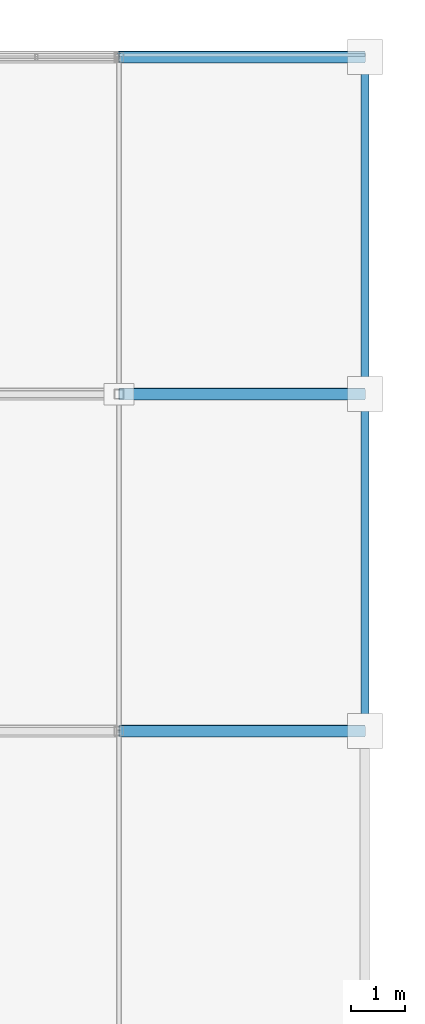
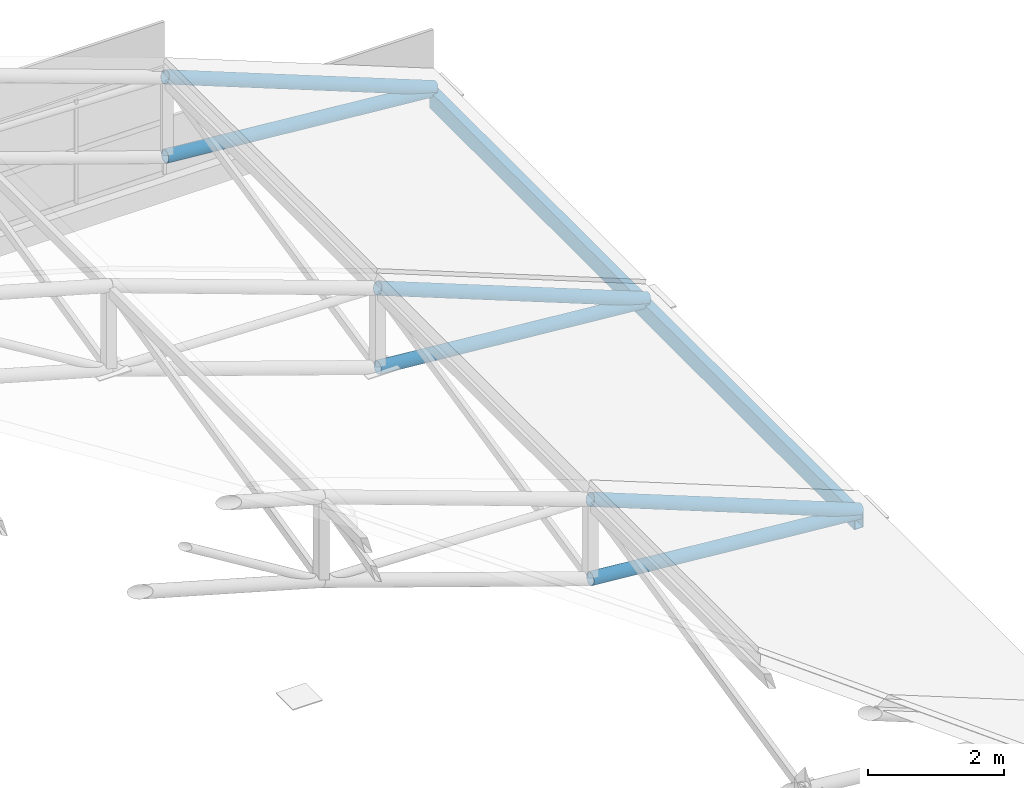
# One storey, part 75 of 101: 6 members, 1 beam.
"""IFC4 building model written with IfcOpenShell, lengths in metres."""

from ifc_helpers import new_model, si_unit, direction, frame, origin, origin_2d, place, context, subcontext, project, spatial, hollow_rectangle, hollow_circle, extrude, material, material_profile, profile_set, type_object, element, save


model = new_model("IFC4")

# Units and contexts
model_context = context("Model", 3, precision=1e-05, world=origin(), true_north=direction((0.0, 1.0)))
body_context = subcontext(model_context, "Body", "Model", "MODEL_VIEW")
ifc_project = project(units=[si_unit("LENGTHUNIT", "METRE"), si_unit("AREAUNIT", "SQUARE_METRE"), si_unit("VOLUMEUNIT", "CUBIC_METRE"), si_unit("PLANEANGLEUNIT", "RADIAN"), si_unit("MASSUNIT", "GRAM", prefix="KILO")], contexts=[model_context])

# Site, building, storey
site_placement = place(None, origin())
site = spatial("IfcSite", under=ifc_project, at=site_placement, CompositionType="ELEMENT")
building_placement = place(site_placement, origin())
building = spatial("IfcBuilding", under=site, at=building_placement, Name="Solvikara Media Centre", CompositionType="ELEMENT")
storey_placement = place(building_placement, frame((0.0, 0.0, 10.199951171875)))
storey = spatial("IfcBuildingStorey", under=building, at=storey_placement, Name="L02", CompositionType="ELEMENT", Elevation=10.199951171875)

# Beam
ifc_material = material(Name="Steel S355JR", Category="steel")
ifc_material_profile_1 = material_profile(ifc_material, hollow_rectangle(XDim=0.14990234375, YDim=0.300048828125, WallThickness=0.010009765625, at=origin_2d()), Name="RHS 300x150x10")
ifc_profile_set_1 = profile_set([ifc_material_profile_1], Name="Steel S355JR")
beam_type = type_object("IfcBeamType", Name="BM-35", PredefinedType="BEAM", material=ifc_profile_set_1)
beam_placement = place(storey_placement, frame((164.0, 101.5, -0.25), z_axis=(0.0, 1.0, 0.0), x_axis=(-1.0, 0.0, 0.0)))
element("IfcBeam", 1, at=beam_placement, inside=storey, type_object=beam_type, Name="B-L02-Y1005", PredefinedType="BEAM", context=body_context, shape_type="SweptSolid", body=[
    extrude(hollow_rectangle(XDim=0.14990234375, YDim=0.300048828125, WallThickness=0.010009765625, at=origin_2d()), origin(), (0.0, 0.0, 1.0), 12.5),
])

# Members
ifc_material_profile_2 = material_profile(ifc_material, hollow_circle(Radius=0.109619140625, WallThickness=0.008056640625, at=origin_2d()), Name="CHS 219.1x8")
ifc_profile_set_2 = profile_set([ifc_material_profile_2], Name="Steel S355JR")
member_type = type_object("IfcMemberType", Name="MB-05", PredefinedType="CHORD", material=ifc_profile_set_2)
member_1_placement = place(storey_placement, frame((159.43798828125, 101.5, 1.72412109375), z_axis=(0.930767233936, 0.0, -0.365612303173), x_axis=(0.0, 1.0, 0.0)))
element("IfcMember", 2, at=member_1_placement, inside=storey, type_object=member_type, Name="BSB-TC-02-07", PredefinedType="CHORD", context=body_context, shape_type="SweptSolid", body=[
    extrude(hollow_circle(Radius=0.109619140625, WallThickness=0.008056640625, at=origin_2d()), origin(), (0.0, 0.0, 1.0), 4.9013671875),
])
member_2_placement = place(storey_placement, frame((159.43798828125, 101.5, 0.300048828125), z_axis=(0.996179932838, 0.0, -0.087324346034), x_axis=(0.0, 1.0, 0.0)))
element("IfcMember", 3, at=member_2_placement, inside=storey, type_object=member_type, Name="BSB-BC-02-07", PredefinedType="CHORD", context=body_context, shape_type="SweptSolid", body=[
    extrude(hollow_circle(Radius=0.109619140625, WallThickness=0.008056640625, at=origin_2d()), origin(), (0.0, 0.0, 1.0), 4.57958984375),
])
member_3_placement = place(storey_placement, frame((159.43798828125, 107.75, 1.72412109375), z_axis=(0.930767233936, 0.0, -0.365612303173), x_axis=(0.0, 1.0, 0.0)))
element("IfcMember", 4, at=member_3_placement, inside=storey, type_object=member_type, Name="BSB-TC-03-07", PredefinedType="CHORD", context=body_context, shape_type="SweptSolid", body=[
    extrude(hollow_circle(Radius=0.109619140625, WallThickness=0.008056640625, at=origin_2d()), origin(), (0.0, 0.0, 1.0), 4.9013671875),
])
member_4_placement = place(storey_placement, frame((159.43798828125, 107.75, 0.300048828125), z_axis=(0.996179932838, 0.0, -0.087324346034), x_axis=(0.0, 1.0, 0.0)))
element("IfcMember", 5, at=member_4_placement, inside=storey, type_object=member_type, Name="BSB-BC-03-07", PredefinedType="CHORD", context=body_context, shape_type="SweptSolid", body=[
    extrude(hollow_circle(Radius=0.109619140625, WallThickness=0.008056640625, at=origin_2d()), origin(), (0.0, 0.0, 1.0), 4.57958984375),
])
member_5_placement = place(storey_placement, frame((159.43798828125, 114.0, 1.72412109375), z_axis=(0.930767233936, 0.0, -0.365612303173), x_axis=(0.0, 1.0, 0.0)))
element("IfcMember", 6, at=member_5_placement, inside=storey, type_object=member_type, Name="BSB-TC-04-07", PredefinedType="CHORD", context=body_context, shape_type="SweptSolid", body=[
    extrude(hollow_circle(Radius=0.109619140625, WallThickness=0.008056640625, at=origin_2d()), origin(), (0.0, 0.0, 1.0), 4.9013671875),
])
member_6_placement = place(storey_placement, frame((159.43798828125, 114.0, 0.300048828125), z_axis=(0.996179932838, 0.0, -0.087324346034), x_axis=(0.0, 1.0, 0.0)))
element("IfcMember", 7, at=member_6_placement, inside=storey, type_object=member_type, Name="BSB-BC-04-07", PredefinedType="CHORD", context=body_context, shape_type="SweptSolid", body=[
    extrude(hollow_circle(Radius=0.109619140625, WallThickness=0.008056640625, at=origin_2d()), origin(), (0.0, 0.0, 1.0), 4.57958984375),
])

save(model, "model.ifc")
